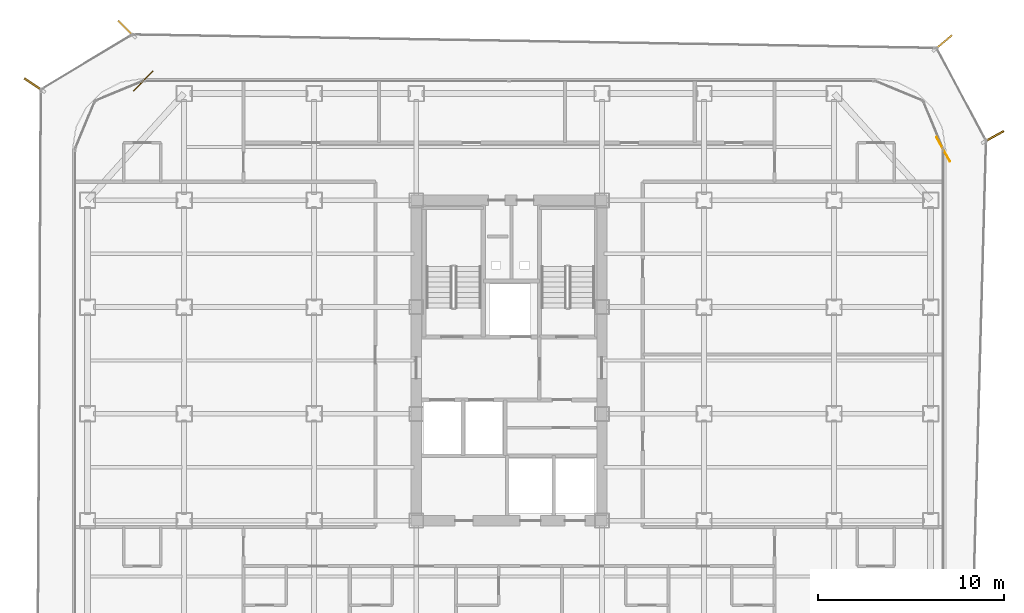
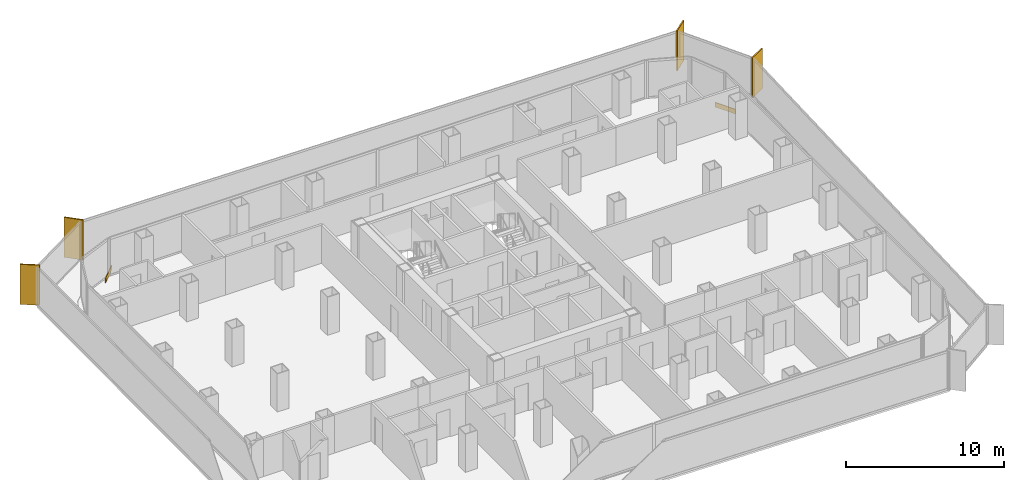
# One storey, part 21 of 21: 4 shading devices, 2 coverings.
"""IFC4 building model written with IfcOpenShell, lengths in metres."""

from ifc_helpers import new_model, si_unit, direction, frame, origin, origin_2d, place, context, subcontext, project, spatial, rectangle, extrude, source, transform, mapped, material, layer, layer_set, type_object, element, save


model = new_model("IFC4")

# Units and contexts
model_context = context("Model", 3, precision=1e-05, world=origin(), true_north=direction((0.0, 1.0)))
body_context = subcontext(model_context, "Body", "Model", "MODEL_VIEW")
ifc_project = project(units=[si_unit("LENGTHUNIT", "METRE"), si_unit("AREAUNIT", "SQUARE_METRE"), si_unit("VOLUMEUNIT", "CUBIC_METRE"), si_unit("PLANEANGLEUNIT", "RADIAN"), si_unit("MASSUNIT", "GRAM", prefix="KILO")], contexts=[model_context])

# Site, building, storey
site_placement = place(None, origin())
site = spatial("IfcSite", under=ifc_project, at=site_placement, CompositionType="ELEMENT")
building_placement = place(site_placement, origin())
building = spatial("IfcBuilding", under=site, at=building_placement, Name="Kolveth Station Tower", CompositionType="ELEMENT")
storey_placement = place(building_placement, frame((0.0, 0.0, 102.300048828125)))
storey = spatial("IfcBuildingStorey", under=building, at=storey_placement, Name="L27", CompositionType="ELEMENT", Elevation=102.300048828125)

# Shading devices
ifc_material_1 = material(Name="Black anodized aluminium 6063-T6", Category="aluminium")
shading_device_type = type_object("IfcShadingDeviceType", Name="FIN_VF1", PredefinedType="USERDEFINED", material=ifc_material_1)
shared_shape_1 = source(origin(), body_context, "Body", "SweptSolid", [
    extrude(rectangle(XDim=1.25, YDim=0.090087890625, at=origin_2d()), origin(), (0.0, 0.0, 1.0), 3.10009765625),
])
for number, where, z_axis, x_axis, name in (
    (1, (49.5830078125, 32.174072265625, 0.0), (0.0, 0.0, 1.0), (0.873687328191, 0.486487875037, 0.0), "L27 Dark-Aluminium Solar Fin 3"),
    (2, (46.868896484375, 37.238037109375, 0.0), (0.0, 0.0, 1.0), (0.766380900901, 0.64238642166, 0.0), "L27 Dark-Aluminium Solar Fin 4"),
    (3, (2.888916015625, 37.989013671875, 0.0), (0.0, 0.0, 1.0), (-0.711780904964, 0.70240155419, 0.0), "L27 Dark-Aluminium Solar Fin 5"),
    (4, (-2.0791015625, 34.968017578125, 0.0), (0.0, 0.0, 1.0), (-0.828060334622, 0.560638994563, 0.0), "L27 Dark-Aluminium Solar Fin 6"),
):
    element("IfcShadingDevice", number, at=place(storey_placement, frame(where, z_axis=z_axis, x_axis=x_axis)), inside=storey, type_object=shading_device_type, Name=name, ObjectType="FIN", PredefinedType="USERDEFINED", context=body_context, shape_type="MappedRepresentation", body=[
        mapped(shared_shape_1, transform((0.0, 0.0, 0.0), x_axis=(1.0, 0.0, 0.0), y_axis=(0.0, 1.0, 0.0), z_axis=(0.0, 0.0, 1.0), scale=1.0)),
    ])

# Coverings
ifc_material_2 = material(Name="Charcoal anodized aluminium spandrel cladding", Category="aluminium")
ifc_layer = layer(ifc_material_2, 0.044921875)
ifc_layer_set = layer_set([ifc_layer], Name="Charcoal anodized aluminium spandrel cladding")
covering_type = type_object("IfcCoveringType", Name="Clad_CD1", PredefinedType="CLADDING", material=ifc_layer_set)
shared_shape_2 = source(origin(), body_context, "Body", "SweptSolid", [
    extrude(rectangle(XDim=1.5, YDim=0.044921875, at=origin_2d()), origin(), (0.0, 0.0, 1.0), 0.360107421875),
])
for number, where, z_axis, x_axis, name in (
    (5, (46.8798828125, 31.5, 0.0), (0.0, 0.0, 1.0), (-0.486487875037, 0.873687328191, 0.0), "L27 Spandrel Edge Cladding 3"),
    (6, (3.800048828125, 35.179931640625, 0.0), (0.0, 0.0, 1.0), (-0.70240155419, -0.711780904964, 0.0), "L27 Spandrel Edge Cladding 5"),
):
    element("IfcCovering", number, at=place(storey_placement, frame(where, z_axis=z_axis, x_axis=x_axis)), inside=storey, type_object=covering_type, Name=name, PredefinedType="CLADDING", context=body_context, shape_type="MappedRepresentation", body=[
        mapped(shared_shape_2, transform((0.0, 0.0, 0.0), x_axis=(1.0, 0.0, 0.0), y_axis=(0.0, 1.0, 0.0), z_axis=(0.0, 0.0, 1.0), scale=1.0)),
    ])

save(model, "model.ifc")
